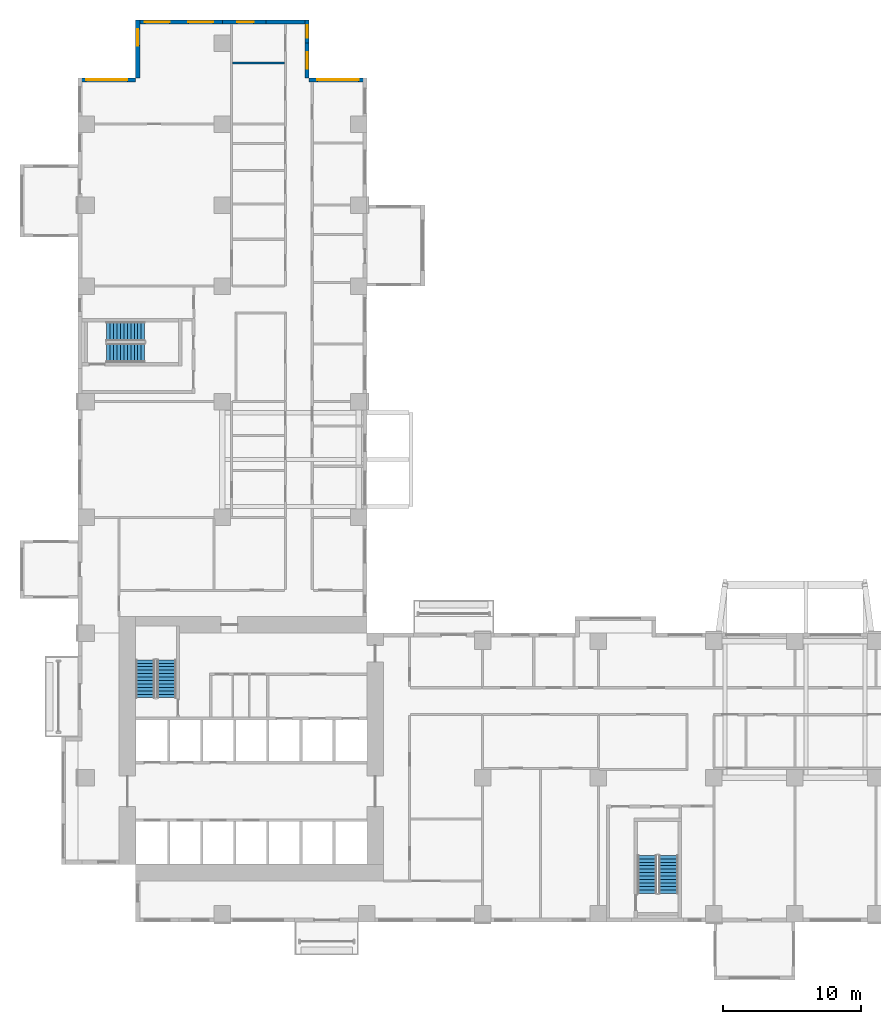
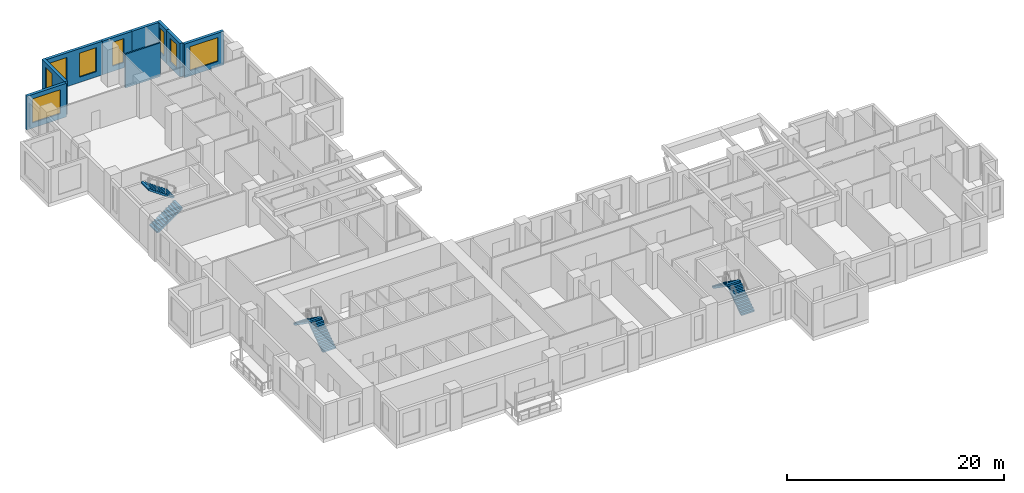
# One storey, part 10 of 14: 9 walls, 8 windows, 6 stair flights, 8 openings, 3 elements without a shape of their own.
"""IFC4 building model written with IfcOpenShell, lengths in metres."""

from ifc_helpers import new_model, si_unit, direction, frame, frame_2d, origin, place, context, subcontext, project, spatial, polyline, rectangle, outline, extrude, source, transform, mapped, material, layer, layer_set, type_object, element, fill, aggregate, save


model = new_model("IFC4")

# Units and contexts
model_context = context("Model", 3, precision=1e-05, world=origin(), true_north=direction((0.0, 1.0)))
body_context = subcontext(model_context, "Body", "Model", "MODEL_VIEW")
ifc_project = project(units=[si_unit("LENGTHUNIT", "METRE"), si_unit("AREAUNIT", "SQUARE_METRE"), si_unit("VOLUMEUNIT", "CUBIC_METRE"), si_unit("PLANEANGLEUNIT", "RADIAN"), si_unit("MASSUNIT", "GRAM", prefix="KILO")], contexts=[model_context])

# Site, building, storey
site_placement = place(None, origin())
site = spatial("IfcSite", under=ifc_project, at=site_placement, CompositionType="ELEMENT")
building_placement = place(site_placement, origin())
building = spatial("IfcBuilding", under=site, at=building_placement, Name="Aurelian Terraces", CompositionType="ELEMENT")
storey_placement = place(building_placement, frame((0.0, 0.0, 44.7)))
storey = spatial("IfcBuildingStorey", under=building, at=storey_placement, Name="L08", CompositionType="ELEMENT", Elevation=44.7)

# Wall
ifc_material_1 = material(Name="Terracotta rainscreen cladding", Category="masonry")
ifc_layer_1 = layer(ifc_material_1, 0.3)
ifc_layer_set_1 = layer_set([ifc_layer_1], Name="EW-300")
wall_type_1 = type_object("IfcWallType", Name="EW-300", PredefinedType="STANDARD", material=ifc_layer_set_1)
shared_shape_1 = source(origin(), body_context, "Body", "SweptSolid", [
    extrude(rectangle(XDim=3.15, YDim=0.3, at=frame_2d((1.575, 0.0))), origin(), (0.0, 0.0, 1.0), 3.8),
])
wall_1_placement = place(storey_placement, frame((16.8, 65.37, 0.0), z_axis=(0.0, 0.0, 1.0), x_axis=(-1.0, 0.0, 0.0)))
element("IfcWall", 1, at=wall_1_placement, inside=storey, type_object=wall_type_1, Name="External wall L08 F11.37", PredefinedType="STANDARD", context=body_context, shape_type="MappedRepresentation", body=[
    mapped(shared_shape_1, transform((0.0, 0.0, 0.0), scale=1.0)),
])

# Wall, opening, window
wall_2_placement = place(storey_placement, frame((13.65, 65.37, 0.0), z_axis=(0.0, 0.0, 1.0), x_axis=(-1.0, 0.0, 0.0)))
wall_2 = element("IfcWall", 2, at=wall_2_placement, inside=storey, type_object=wall_type_1, Name="External wall L08 F11.38", PredefinedType="STANDARD", context=body_context, shape_type="MappedRepresentation", body=[
    mapped(shared_shape_1, transform((0.0, 0.0, 0.0), scale=1.0)),
])
shared_shape_2 = source(origin(), body_context, "Body", "SweptSolid", [
    extrude(rectangle(XDim=1.2, YDim=2.7, at=frame_2d((0.6, 1.35))), frame((0.0, 0.16, 0.0), z_axis=(0.0, -1.0, 0.0), x_axis=(1.0, 0.0, 0.0)), (0.0, 0.0, 1.0), 0.32),
])
opening_1_placement = place(wall_2_placement, frame((0.8875, 0.0, 0.6)))
opening_1 = element("IfcOpeningElement", 3, at=opening_1_placement, cuts=wall_2, Name="Opening W1227", PredefinedType="OPENING", context=body_context, shape_type="MappedRepresentation", body=[
    mapped(shared_shape_2, transform((0.0, 0.0, 0.0), scale=1.0)),
])
ifc_material_2 = material(Name="Clear glazing", Category="glass")
window_type_1 = type_object("IfcWindowType", Name="W-1200x2700", PartitioningType="SINGLE_PANEL", PredefinedType="WINDOW", material=ifc_material_2)
shared_shape_3 = source(origin(), body_context, "Body", "SweptSolid", [
    extrude(rectangle(XDim=1.2, YDim=2.7, at=frame_2d((0.6, 1.35))), frame((0.0, 0.03, 0.0), z_axis=(0.0, -1.0, 0.0), x_axis=(1.0, 0.0, 0.0)), (0.0, 0.0, 1.0), 0.06),
])
window_1_placement = place(opening_1_placement, origin())
window_1 = element("IfcWindow", 4, at=window_1_placement, inside=storey, type_object=window_type_1, Name="Window L08 L08-F11-38-0", OverallHeight=2.7, OverallWidth=1.2, PartitioningType="SINGLE_PANEL", PredefinedType="WINDOW", context=body_context, shape_type="MappedRepresentation", body=[
    mapped(shared_shape_3, transform((0.0, 0.0, 0.0), scale=1.0)),
])
fill(opening_1, window_1)

shared_shape_4 = source(origin(), body_context, "Body", "SweptSolid", [
    extrude(rectangle(XDim=4.2, YDim=0.3, at=frame_2d((2.1, 0.0))), origin(), (0.0, 0.0, 1.0), 3.8),
])
wall_3_placement = place(storey_placement, frame((21.0, 61.17, 0.0), z_axis=(0.0, 0.0, 1.0), x_axis=(-1.0, 0.0, 0.0)))
wall_3 = element("IfcWall", 5, at=wall_3_placement, inside=storey, type_object=wall_type_1, Name="External wall L08 F09.34", PredefinedType="STANDARD", context=body_context, shape_type="MappedRepresentation", body=[
    mapped(shared_shape_4, transform((0.0, 0.0, 0.0), scale=1.0)),
])
shared_shape_5 = source(origin(), body_context, "Body", "SweptSolid", [
    extrude(rectangle(XDim=3.0, YDim=2.7, at=frame_2d((1.5, 1.35))), frame((0.0, 0.16, 0.0), z_axis=(0.0, -1.0, 0.0), x_axis=(1.0, 0.0, 0.0)), (0.0, 0.0, 1.0), 0.32),
])
opening_2_placement = place(wall_3_placement, frame((0.6, 0.0, 0.6)))
opening_2 = element("IfcOpeningElement", 6, at=opening_2_placement, cuts=wall_3, Name="Opening W3027", PredefinedType="OPENING", context=body_context, shape_type="MappedRepresentation", body=[
    mapped(shared_shape_5, transform((0.0, 0.0, 0.0), scale=1.0)),
])
window_type_2 = type_object("IfcWindowType", Name="W-3000x2700", PartitioningType="SINGLE_PANEL", PredefinedType="WINDOW", material=ifc_material_2)
shared_shape_6 = source(origin(), body_context, "Body", "SweptSolid", [
    extrude(rectangle(XDim=3.0, YDim=2.7, at=frame_2d((1.5, 1.35))), frame((0.0, 0.03, 0.0), z_axis=(0.0, -1.0, 0.0), x_axis=(1.0, 0.0, 0.0)), (0.0, 0.0, 1.0), 0.06),
])
window_2_placement = place(opening_2_placement, origin())
window_2 = element("IfcWindow", 7, at=window_2_placement, inside=storey, type_object=window_type_2, Name="Window L08 L08-F09-34-0", OverallHeight=2.7, OverallWidth=3.0, PartitioningType="SINGLE_PANEL", PredefinedType="WINDOW", context=body_context, shape_type="MappedRepresentation", body=[
    mapped(shared_shape_6, transform((0.0, 0.0, 0.0), scale=1.0)),
])
fill(opening_2, window_2)

wall_4_placement = place(storey_placement, frame((4.35, 65.52, 0.0), z_axis=(0.0, 0.0, 1.0), x_axis=(0.0, -1.0, 0.0)))
wall_4 = element("IfcWall", 8, at=wall_4_placement, inside=storey, type_object=wall_type_1, Name="External wall L08 F12.40", PredefinedType="STANDARD", context=body_context, shape_type="MappedRepresentation", body=[
    mapped(shared_shape_4, transform((0.0, 0.0, 0.0), scale=1.0)),
])
opening_3_placement = place(wall_4_placement, frame((0.66, 0.0, 0.6)))
opening_3 = element("IfcOpeningElement", 9, at=opening_3_placement, cuts=wall_4, Name="Opening W1227", PredefinedType="OPENING", context=body_context, shape_type="MappedRepresentation", body=[
    mapped(shared_shape_2, transform((0.0, 0.0, 0.0), scale=1.0)),
])
window_3_placement = place(opening_3_placement, origin())
window_3 = element("IfcWindow", 10, at=window_3_placement, inside=storey, type_object=window_type_1, Name="Window L08 L08-F12-40-0", OverallHeight=2.7, OverallWidth=1.2, PartitioningType="SINGLE_PANEL", PredefinedType="WINDOW", context=body_context, shape_type="MappedRepresentation", body=[
    mapped(shared_shape_3, transform((0.0, 0.0, 0.0), scale=1.0)),
])
fill(opening_3, window_3)

wall_5_placement = place(storey_placement, frame((4.2, 61.17, 0.0), z_axis=(0.0, 0.0, 1.0), x_axis=(-1.0, 0.0, 0.0)))
wall_5 = element("IfcWall", 11, at=wall_5_placement, inside=storey, type_object=wall_type_1, Name="External wall L08 F13.41", PredefinedType="STANDARD", context=body_context, shape_type="MappedRepresentation", body=[
    mapped(shared_shape_4, transform((0.0, 0.0, 0.0), scale=1.0)),
])
opening_4_placement = place(wall_5_placement, frame((0.6, 0.0, 0.6)))
opening_4 = element("IfcOpeningElement", 12, at=opening_4_placement, cuts=wall_5, Name="Opening W3027", PredefinedType="OPENING", context=body_context, shape_type="MappedRepresentation", body=[
    mapped(shared_shape_5, transform((0.0, 0.0, 0.0), scale=1.0)),
])
window_4_placement = place(opening_4_placement, origin())
window_4 = element("IfcWindow", 13, at=window_4_placement, inside=storey, type_object=window_type_2, Name="Window L08 L08-F13-41-0", OverallHeight=2.7, OverallWidth=3.0, PartitioningType="SINGLE_PANEL", PredefinedType="WINDOW", context=body_context, shape_type="MappedRepresentation", body=[
    mapped(shared_shape_6, transform((0.0, 0.0, 0.0), scale=1.0)),
])
fill(opening_4, window_4)

shared_shape_7 = source(origin(), body_context, "Body", "SweptSolid", [
    extrude(rectangle(XDim=2.52, YDim=0.3, at=frame_2d((1.26, 0.0))), origin(), (0.0, 0.0, 1.0), 3.8),
])
wall_6_placement = place(storey_placement, frame((16.65, 61.32, 0.0), z_axis=(0.0, 0.0, 1.0), x_axis=(0.0, 1.0, 0.0)))
wall_6 = element("IfcWall", 14, at=wall_6_placement, inside=storey, type_object=wall_type_1, Name="External wall L08 F10.35", PredefinedType="STANDARD", context=body_context, shape_type="MappedRepresentation", body=[
    mapped(shared_shape_7, transform((0.0, 0.0, 0.0), scale=1.0)),
])
opening_5_placement = place(wall_6_placement, frame((0.66, 0.0, 0.6)))
opening_5 = element("IfcOpeningElement", 15, at=opening_5_placement, cuts=wall_6, Name="Opening W1227", PredefinedType="OPENING", context=body_context, shape_type="MappedRepresentation", body=[
    mapped(shared_shape_2, transform((0.0, 0.0, 0.0), scale=1.0)),
])
window_5_placement = place(opening_5_placement, origin())
window_5 = element("IfcWindow", 16, at=window_5_placement, inside=storey, type_object=window_type_1, Name="Window L08 L08-F10-35-0", OverallHeight=2.7, OverallWidth=1.2, PartitioningType="SINGLE_PANEL", PredefinedType="WINDOW", context=body_context, shape_type="MappedRepresentation", body=[
    mapped(shared_shape_3, transform((0.0, 0.0, 0.0), scale=1.0)),
])
fill(opening_5, window_5)

shared_shape_8 = source(origin(), body_context, "Body", "SweptSolid", [
    extrude(rectangle(XDim=1.68, YDim=0.3, at=frame_2d((0.84, 0.0))), origin(), (0.0, 0.0, 1.0), 3.8),
])
wall_7_placement = place(storey_placement, frame((16.65, 63.84, 0.0), z_axis=(0.0, 0.0, 1.0), x_axis=(0.0, 1.0, 0.0)))
wall_7 = element("IfcWall", 17, at=wall_7_placement, inside=storey, type_object=wall_type_1, Name="External wall L08 F10.36", PredefinedType="STANDARD", context=body_context, shape_type="MappedRepresentation", body=[
    mapped(shared_shape_8, transform((0.0, 0.0, 0.0), scale=1.0)),
])
shared_shape_9 = source(origin(), body_context, "Body", "SweptSolid", [
    extrude(rectangle(XDim=0.9, YDim=2.7, at=frame_2d((0.45, 1.35))), frame((0.0, 0.16, 0.0), z_axis=(0.0, -1.0, 0.0), x_axis=(1.0, 0.0, 0.0)), (0.0, 0.0, 1.0), 0.32),
])
opening_6_placement = place(wall_7_placement, frame((0.39, 0.0, 0.6)))
opening_6 = element("IfcOpeningElement", 18, at=opening_6_placement, cuts=wall_7, Name="Opening W0927", PredefinedType="OPENING", context=body_context, shape_type="MappedRepresentation", body=[
    mapped(shared_shape_9, transform((0.0, 0.0, 0.0), scale=1.0)),
])
window_type_3 = type_object("IfcWindowType", Name="W-900x2700", PartitioningType="SINGLE_PANEL", PredefinedType="WINDOW", material=ifc_material_2)
shared_shape_10 = source(origin(), body_context, "Body", "SweptSolid", [
    extrude(rectangle(XDim=0.9, YDim=2.7, at=frame_2d((0.45, 1.35))), frame((0.0, 0.03, 0.0), z_axis=(0.0, -1.0, 0.0), x_axis=(1.0, 0.0, 0.0)), (0.0, 0.0, 1.0), 0.06),
])
window_6_placement = place(opening_6_placement, origin())
window_6 = element("IfcWindow", 19, at=window_6_placement, inside=storey, type_object=window_type_3, Name="Window L08 L08-F10-36-P0", OverallHeight=2.7, OverallWidth=0.9, PartitioningType="SINGLE_PANEL", PredefinedType="WINDOW", context=body_context, shape_type="MappedRepresentation", body=[
    mapped(shared_shape_10, transform((0.0, 0.0, 0.0), scale=1.0)),
])
fill(opening_6, window_6)

# Wall, openings, windows
shared_shape_11 = source(origin(), body_context, "Body", "SweptSolid", [
    extrude(rectangle(XDim=6.3, YDim=0.3, at=frame_2d((3.15, 0.0))), origin(), (0.0, 0.0, 1.0), 3.8),
])
wall_8_placement = place(storey_placement, frame((10.5, 65.37, 0.0), z_axis=(0.0, 0.0, 1.0), x_axis=(-1.0, 0.0, 0.0)))
wall_8 = element("IfcWall", 20, at=wall_8_placement, inside=storey, type_object=wall_type_1, Name="External wall L08 F11.39", PredefinedType="STANDARD", context=body_context, shape_type="MappedRepresentation", body=[
    mapped(shared_shape_11, transform((0.0, 0.0, 0.0), scale=1.0)),
])
shared_shape_12 = source(origin(), body_context, "Body", "SweptSolid", [
    extrude(rectangle(XDim=1.8, YDim=2.7, at=frame_2d((0.9, 1.35))), frame((0.0, 0.16, 0.0), z_axis=(0.0, -1.0, 0.0), x_axis=(1.0, 0.0, 0.0)), (0.0, 0.0, 1.0), 0.32),
])
opening_7_placement = place(wall_8_placement, frame((0.675, 0.0, 0.6)))
opening_7 = element("IfcOpeningElement", 21, at=opening_7_placement, cuts=wall_8, Name="Opening W1827", PredefinedType="OPENING", context=body_context, shape_type="MappedRepresentation", body=[
    mapped(shared_shape_12, transform((0.0, 0.0, 0.0), scale=1.0)),
])
opening_8_placement = place(wall_8_placement, frame((3.825, 0.0, 0.6)))
opening_8 = element("IfcOpeningElement", 22, at=opening_8_placement, cuts=wall_8, Name="Opening W1827", PredefinedType="OPENING", context=body_context, shape_type="MappedRepresentation", body=[
    mapped(shared_shape_12, transform((0.0, 0.0, 0.0), scale=1.0)),
])
window_type_4 = type_object("IfcWindowType", Name="W-1800x2700", PartitioningType="SINGLE_PANEL", PredefinedType="WINDOW", material=ifc_material_2)
shared_shape_13 = source(origin(), body_context, "Body", "SweptSolid", [
    extrude(rectangle(XDim=1.8, YDim=2.7, at=frame_2d((0.9, 1.35))), frame((0.0, 0.03, 0.0), z_axis=(0.0, -1.0, 0.0), x_axis=(1.0, 0.0, 0.0)), (0.0, 0.0, 1.0), 0.06),
])
window_7_placement = place(opening_7_placement, origin())
window_7 = element("IfcWindow", 23, at=window_7_placement, inside=storey, type_object=window_type_4, Name="Window L08 L08-F11-39-0", OverallHeight=2.7, OverallWidth=1.8, PartitioningType="SINGLE_PANEL", PredefinedType="WINDOW", context=body_context, shape_type="MappedRepresentation", body=[
    mapped(shared_shape_13, transform((0.0, 0.0, 0.0), scale=1.0)),
])
fill(opening_7, window_7)
window_8_placement = place(opening_8_placement, origin())
window_8 = element("IfcWindow", 24, at=window_8_placement, inside=storey, type_object=window_type_4, Name="Window L08 L08-F11-39-1", OverallHeight=2.7, OverallWidth=1.8, PartitioningType="SINGLE_PANEL", PredefinedType="WINDOW", context=body_context, shape_type="MappedRepresentation", body=[
    mapped(shared_shape_13, transform((0.0, 0.0, 0.0), scale=1.0)),
])
fill(opening_8, window_8)

# Wall
ifc_material_3 = material(Name="Gypsum board on steel studs", Category="steel")
ifc_layer_2 = layer(ifc_material_3, 0.15)
ifc_layer_set_2 = layer_set([ifc_layer_2], Name="Partition 150")
wall_type_2 = type_object("IfcWallType", Name="Partition 150", PredefinedType="PARTITIONING", material=ifc_layer_set_2)
shared_shape_14 = source(origin(), body_context, "Body", "SweptSolid", [
    extrude(rectangle(XDim=3.75, YDim=0.15, at=frame_2d((1.875, 0.0))), origin(), (0.0, 0.0, 1.0), 3.8),
])
wall_9_placement = place(storey_placement, frame((15.0, 62.3987, 0.0), z_axis=(0.0, 0.0, 1.0), x_axis=(-1.0, 0.0, 0.0)))
element("IfcWall", 25, at=wall_9_placement, inside=storey, type_object=wall_type_2, Name="Partition", PredefinedType="PARTITIONING", context=body_context, shape_type="MappedRepresentation", body=[
    mapped(shared_shape_14, transform((0.0, 0.0, 0.0), scale=1.0)),
])

# Stair, stair flights
ifc_material_4 = material(Name="Concrete fc' 40 MPa", Category="concrete")
stair_type = type_object("IfcStairType", Name="Stair 1400", PredefinedType="HALF_TURN_STAIR", material=ifc_material_4)
stair_1_placement = place(storey_placement, origin())
stair_1 = element("IfcStair", 26, at=stair_1_placement, inside=storey, type_object=stair_type, Name="L08 S1", PredefinedType="HALF_TURN_STAIR")
stair_flight_type = type_object("IfcStairFlightType", Name="Stair flight 1400", PredefinedType="STRAIGHT", material=ifc_material_4)
shared_shape_15 = source(origin(), body_context, "Body", "SweptSolid", [
    extrude(outline(polyline([(0.0, 0.0), (0.0, 0.175), (0.25, 0.175), (0.25, 0.35), (0.5, 0.35), (0.5, 0.525), (0.75, 0.525), (0.75, 0.7), (1.0, 0.7), (1.0, 0.875), (1.25, 0.875), (1.25, 1.05), (1.5, 1.05), (1.5, 1.225), (1.75, 1.225), (1.75, 1.4), (2.0, 1.4), (2.0, 1.575), (2.25, 1.575), (2.25, 1.75), (2.5, 1.75), (2.5, 1.925), (2.75, 1.925), (2.75, 2.1), (2.75, 1.7419), (0.2616, 0.0), (0.0, 0.0)])), frame((0.0, 0.7, 0.0), z_axis=(0.0, -1.0, 0.0), x_axis=(1.0, 0.0, 0.0)), (0.0, 0.0, 1.0), 1.4),
])
stair_flight_1_placement = place(storey_placement, frame((6.45, 16.3, 2e-08), z_axis=(0.0, 0.0, 1.0), x_axis=(0.0, 1.0, 0.0)))
stair_flight_1 = element("IfcStairFlight", 27, at=stair_flight_1_placement, type_object=stair_flight_type, Name="S1 flight 1", NumberOfRisers=12, NumberOfTreads=11, PredefinedType="STRAIGHT", RiserHeight=0.175, TreadLength=0.25, context=body_context, shape_type="MappedRepresentation", body=[
    mapped(shared_shape_15, transform((0.0, 0.0, 0.0), scale=1.0)),
])
stair_flight_2_placement = place(storey_placement, frame((4.9, 19.05, 2.100000019999994), z_axis=(0.0, 0.0, 1.0), x_axis=(0.0, -1.0, 0.0)))
stair_flight_2 = element("IfcStairFlight", 28, at=stair_flight_2_placement, type_object=stair_flight_type, Name="S1 flight 2", NumberOfRisers=12, NumberOfTreads=11, PredefinedType="STRAIGHT", RiserHeight=0.175, TreadLength=0.25, context=body_context, shape_type="MappedRepresentation", body=[
    mapped(shared_shape_15, transform((0.0, 0.0, 0.0), scale=1.0)),
])
aggregate(stair_1, [stair_flight_1, stair_flight_2])

stair_2_placement = place(storey_placement, origin())
stair_2 = element("IfcStair", 29, at=stair_2_placement, inside=storey, type_object=stair_type, Name="L08 S2", PredefinedType="HALF_TURN_STAIR")
stair_flight_3_placement = place(storey_placement, frame((42.9, 2.1, 2e-08), z_axis=(0.0, 0.0, 1.0), x_axis=(0.0, 1.0, 0.0)))
stair_flight_3 = element("IfcStairFlight", 30, at=stair_flight_3_placement, type_object=stair_flight_type, Name="S2 flight 1", NumberOfRisers=12, NumberOfTreads=11, PredefinedType="STRAIGHT", RiserHeight=0.175, TreadLength=0.25, context=body_context, shape_type="MappedRepresentation", body=[
    mapped(shared_shape_15, transform((0.0, 0.0, 0.0), scale=1.0)),
])
stair_flight_4_placement = place(storey_placement, frame((41.35, 4.85, 2.100000019999994), z_axis=(0.0, 0.0, 1.0), x_axis=(0.0, -1.0, 0.0)))
stair_flight_4 = element("IfcStairFlight", 31, at=stair_flight_4_placement, type_object=stair_flight_type, Name="S2 flight 2", NumberOfRisers=12, NumberOfTreads=11, PredefinedType="STRAIGHT", RiserHeight=0.175, TreadLength=0.25, context=body_context, shape_type="MappedRepresentation", body=[
    mapped(shared_shape_15, transform((0.0, 0.0, 0.0), scale=1.0)),
])
aggregate(stair_2, [stair_flight_3, stair_flight_4])

stair_3_placement = place(storey_placement, origin())
stair_3 = element("IfcStair", 32, at=stair_3_placement, inside=storey, type_object=stair_type, Name="L08 S3", PredefinedType="HALF_TURN_STAIR")
stair_flight_5_placement = place(storey_placement, frame((2.1, 41.35, 2e-08), z_axis=(0.0, 0.0, 1.0), x_axis=(1.0, 0.0, 0.0)))
stair_flight_5 = element("IfcStairFlight", 33, at=stair_flight_5_placement, type_object=stair_flight_type, Name="S3 flight 1", NumberOfRisers=12, NumberOfTreads=11, PredefinedType="STRAIGHT", RiserHeight=0.175, TreadLength=0.25, context=body_context, shape_type="MappedRepresentation", body=[
    mapped(shared_shape_15, transform((0.0, 0.0, 0.0), scale=1.0)),
])
stair_flight_6_placement = place(storey_placement, frame((4.85, 42.9, 2.100000019999994), z_axis=(0.0, 0.0, 1.0), x_axis=(-1.0, 0.0, 0.0)))
stair_flight_6 = element("IfcStairFlight", 34, at=stair_flight_6_placement, type_object=stair_flight_type, Name="S3 flight 2", NumberOfRisers=12, NumberOfTreads=11, PredefinedType="STRAIGHT", RiserHeight=0.175, TreadLength=0.25, context=body_context, shape_type="MappedRepresentation", body=[
    mapped(shared_shape_15, transform((0.0, 0.0, 0.0), scale=1.0)),
])
aggregate(stair_3, [stair_flight_5, stair_flight_6])

save(model, "model.ifc")
